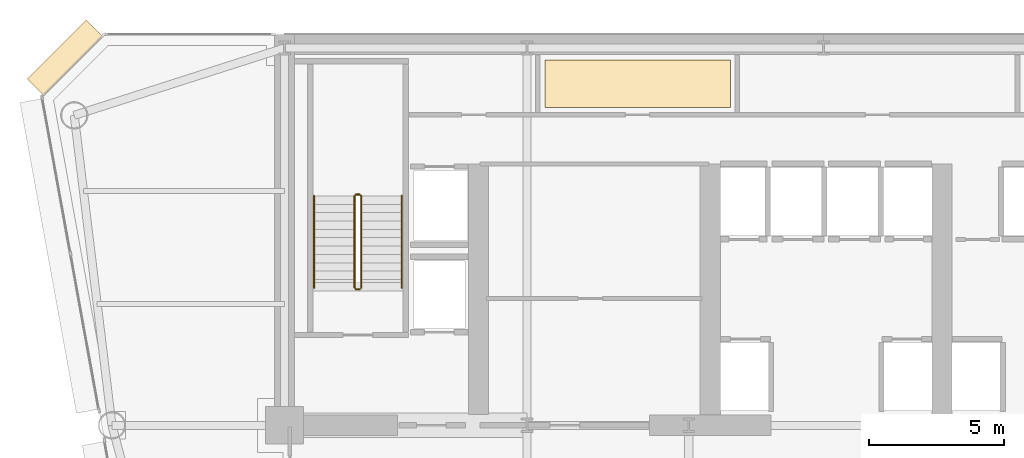
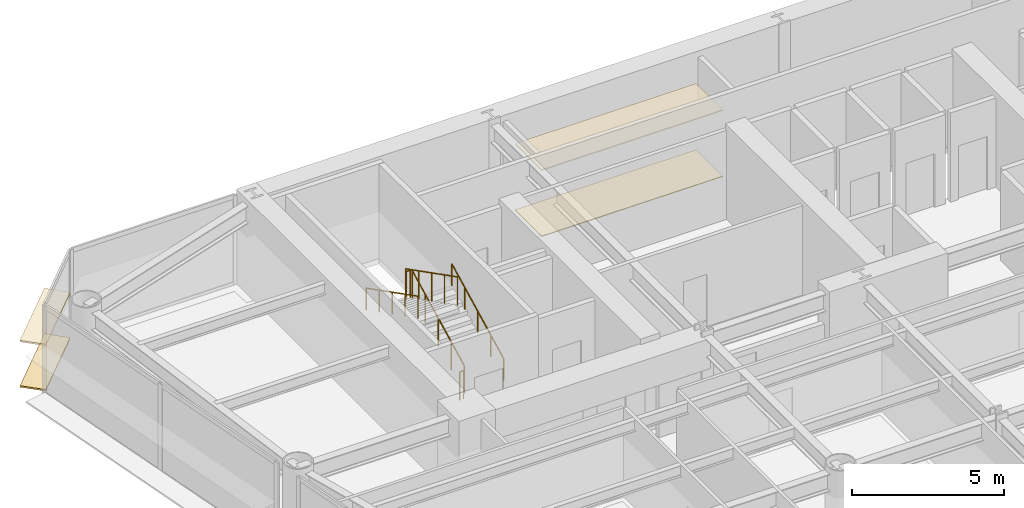
# One storey, part 12 of 14: 6 railings, 4 coverings.
"""IFC4 building model written with IfcOpenShell, lengths in metres."""

from ifc_helpers import new_model, si_unit, direction, frame, origin, origin_2d, place, context, subcontext, project, spatial, polyline, rectangle, circle, outline, extrude, source, transform, mapped, material, layer, layer_set, type_object, element, save


model = new_model("IFC4")

# Units and contexts
model_context = context("Model", 3, precision=1e-05, world=origin(), true_north=direction((0.0, 1.0)))
body_context = subcontext(model_context, "Body", "Model", "MODEL_VIEW")
ifc_project = project(units=[si_unit("LENGTHUNIT", "METRE"), si_unit("AREAUNIT", "SQUARE_METRE"), si_unit("VOLUMEUNIT", "CUBIC_METRE"), si_unit("PLANEANGLEUNIT", "RADIAN"), si_unit("MASSUNIT", "GRAM", prefix="KILO")], contexts=[model_context])

# Site, building, storey
site_placement = place(None, origin())
site = spatial("IfcSite", under=ifc_project, at=site_placement, CompositionType="ELEMENT")
building_placement = place(site_placement, origin())
building = spatial("IfcBuilding", under=site, at=building_placement, Name="Vaeldorn Concourse Tower", CompositionType="ELEMENT")
storey_placement = place(building_placement, frame((0.0, 0.0, 130.0)))
storey = spatial("IfcBuildingStorey", under=building, at=storey_placement, Name="L33", CompositionType="ELEMENT", Elevation=130.0)

# Coverings
ifc_material_1 = material(Name="Acoustic Mineral Fibre Board", Category="gypsum")
ifc_layer_1 = layer(ifc_material_1, 0.0400390625)
ifc_layer_set_1 = layer_set([ifc_layer_1], Name="Acoustic Mineral Fibre Board")
covering_type_1 = type_object("IfcCoveringType", Name="COV-CEIL-ACOUSTIC", PredefinedType="CEILING", material=ifc_layer_set_1)
covering_1_placement = place(storey_placement, frame((0.0, 0.0, 2.64990234375)))
element("IfcCovering", 1, at=covering_1_placement, inside=storey, type_object=covering_type_1, Name="Suspended Acoustic Ceiling L33-2", PredefinedType="CEILING", context=body_context, shape_type="SweptSolid", body=[
    extrude(outline(polyline([(30.5400390625, 50.050048828125), (30.5400390625, 48.300048828125), (23.659912109375, 48.300048828125), (23.659912109375, 50.050048828125), (30.5400390625, 50.050048828125)])), origin(), (0.0, 0.0, 1.0), 0.0400390625),
])
ifc_material_2 = material(Name="Honed Limestone Terrazzo Flooring", Category="masonry")
ifc_layer_2 = layer(ifc_material_2, 0.0400390625)
ifc_layer_set_2 = layer_set([ifc_layer_2], Name="Honed Limestone Terrazzo Flooring")
covering_type_2 = type_object("IfcCoveringType", Name="COV-FLOOR-STONE", PredefinedType="FLOORING", material=ifc_layer_set_2)
covering_2_placement = place(storey_placement, origin())
element("IfcCovering", 2, at=covering_2_placement, inside=storey, type_object=covering_type_2, Name="Floor Finish Covering L33-2", PredefinedType="FLOORING", context=body_context, shape_type="SweptSolid", body=[
    extrude(outline(polyline([(30.5400390625, 50.050048828125), (30.5400390625, 48.300048828125), (23.659912109375, 48.300048828125), (23.659912109375, 50.050048828125), (30.5400390625, 50.050048828125)])), origin(), (0.0, 0.0, 1.0), 0.030029296875),
])

# Railings
ifc_material_3 = material(Name="Anodised Bronze Aluminium", Category="aluminium")
railing_type_1 = type_object("IfcRailingType", Name="RL-STAIR-GUARD", PredefinedType="GUARDRAIL", material=ifc_material_3)
railing_1_placement = place(storey_placement, frame((16.85009765625, 41.60009765625, 0.158447265625)))
element("IfcRailing", 3, at=railing_1_placement, inside=storey, type_object=railing_type_1, Name="L33 ST-1 stair guard 1", PredefinedType="GUARDRAIL", context=body_context, shape_type="SweptSolid", body=[
    extrude(circle(Radius=0.02392578125, at=origin_2d()), frame((0.0, 0.0, 1.1259765625), z_axis=(0.0, 0.890581635807, 0.454823427236), x_axis=(-1.0, 0.0, 0.0)), (0.0, 0.0, 1.0), 3.828857421875),
    extrude(circle(Radius=0.02099609375, at=origin_2d()), origin(), (0.0, 0.0, 1.0), 1.101806640625),
    extrude(circle(Radius=0.02099609375, at=origin_2d()), frame((0.0, 0.8525390625, 0.435302734375)), (0.0, 0.0, 1.0), 1.101806640625),
    extrude(circle(Radius=0.02099609375, at=origin_2d()), frame((0.0, 1.705078125, 0.87060546875)), (0.0, 0.0, 1.0), 1.101806640625),
    extrude(circle(Radius=0.02099609375, at=origin_2d()), frame((0.0, 2.557373046875, 1.30615234375)), (0.0, 0.0, 1.0), 1.101806640625),
    extrude(circle(Radius=0.02099609375, at=origin_2d()), frame((0.0, 3.409912109375, 1.741455078125)), (0.0, 0.0, 1.0), 1.101806640625),
])
railing_2_placement = place(storey_placement, frame((16.800048828125, 45.06005859375, 1.89990234375)))
element("IfcRailing", 4, at=railing_2_placement, inside=storey, type_object=railing_type_1, Name="L33 ST-1 stair guard 2", PredefinedType="GUARDRAIL", context=body_context, shape_type="SweptSolid", body=[
    extrude(circle(Radius=0.02392578125, at=origin_2d()), frame((0.0, 0.0, 1.1259765625), z_axis=(-1.0, 0.0, 0.0), x_axis=(0.0, -1.0, 0.0)), (0.0, 0.0, 1.0), 0.150146484375),
    extrude(circle(Radius=0.02099609375, at=origin_2d()), origin(), (0.0, 0.0, 1.0), 1.101806640625),
    extrude(circle(Radius=0.02099609375, at=origin_2d()), frame((-0.150146484375, 0.0, 0.0)), (0.0, 0.0, 1.0), 1.101806640625),
])
railing_3_placement = place(storey_placement, frame((16.60009765625, 45.010009765625, 2.058349609375)))
element("IfcRailing", 5, at=railing_3_placement, inside=storey, type_object=railing_type_1, Name="L33 ST-1 stair guard 3", PredefinedType="GUARDRAIL", context=body_context, shape_type="SweptSolid", body=[
    extrude(circle(Radius=0.02392578125, at=origin_2d()), frame((0.0, 0.0, 1.1259765625), z_axis=(0.0, -0.890555807335, 0.454873997962), x_axis=(1.0, 0.0, 0.0)), (0.0, 0.0, 1.0), 3.828857421875),
    extrude(circle(Radius=0.02099609375, at=origin_2d()), origin(), (0.0, 0.0, 1.0), 1.101806640625),
    extrude(circle(Radius=0.02099609375, at=origin_2d()), frame((0.0, -0.8525390625, 0.435546875)), (0.0, 0.0, 1.0), 1.101806640625),
    extrude(circle(Radius=0.02099609375, at=origin_2d()), frame((0.0, -1.705078125, 0.870849609375)), (0.0, 0.0, 1.0), 1.101806640625),
    extrude(circle(Radius=0.02099609375, at=origin_2d()), frame((0.0, -2.557373046875, 1.30615234375)), (0.0, 0.0, 1.0), 1.101806640625),
    extrude(circle(Radius=0.02099609375, at=origin_2d()), frame((0.0, -3.409912109375, 1.74169921875)), (0.0, 0.0, 1.0), 1.101806640625),
])
railing_4_placement = place(storey_placement, frame((16.800048828125, 41.550048828125, 0.0)))
element("IfcRailing", 6, at=railing_4_placement, inside=storey, type_object=railing_type_1, Name="L33 ST-1 stair guard 4", PredefinedType="GUARDRAIL", context=body_context, shape_type="SweptSolid", body=[
    extrude(circle(Radius=0.02392578125, at=origin_2d()), frame((0.0, 0.0, 1.1259765625), z_axis=(-1.0, 0.0, 0.0), x_axis=(0.0, -1.0, 0.0)), (0.0, 0.0, 1.0), 0.150146484375),
    extrude(circle(Radius=0.02099609375, at=origin_2d()), origin(), (0.0, 0.0, 1.0), 1.101806640625),
    extrude(circle(Radius=0.02099609375, at=origin_2d()), frame((-0.150146484375, 0.0, 0.0)), (0.0, 0.0, 1.0), 1.101806640625),
])
railing_type_2 = type_object("IfcRailingType", Name="RL-STAIR-HANDRAIL", PredefinedType="HANDRAIL", material=ifc_material_3)
railing_5_placement = place(storey_placement, frame((18.35009765625, 41.60009765625, 0.158447265625)))
element("IfcRailing", 7, at=railing_5_placement, inside=storey, type_object=railing_type_2, Name="L33 ST-1 stair handrail 1", PredefinedType="HANDRAIL", context=body_context, shape_type="SweptSolid", body=[
    extrude(circle(Radius=0.02392578125, at=origin_2d()), frame((0.0, 0.0, 0.8759765625), z_axis=(0.0, 0.890581635807, 0.454823427236), x_axis=(-1.0, 0.0, 0.0)), (0.0, 0.0, 1.0), 3.828857421875),
    extrude(circle(Radius=0.02099609375, at=origin_2d()), origin(), (0.0, 0.0, 1.0), 0.851806640625),
    extrude(circle(Radius=0.02099609375, at=origin_2d()), frame((0.0, 0.8525390625, 0.435302734375)), (0.0, 0.0, 1.0), 0.851806640625),
    extrude(circle(Radius=0.02099609375, at=origin_2d()), frame((0.0, 1.705078125, 0.87060546875)), (0.0, 0.0, 1.0), 0.851806640625),
    extrude(circle(Radius=0.02099609375, at=origin_2d()), frame((0.0, 2.557373046875, 1.30615234375)), (0.0, 0.0, 1.0), 0.851806640625),
    extrude(circle(Radius=0.02099609375, at=origin_2d()), frame((0.0, 3.409912109375, 1.741455078125)), (0.0, 0.0, 1.0), 0.851806640625),
])
railing_6_placement = place(storey_placement, frame((15.10009765625, 45.010009765625, 2.058349609375)))
element("IfcRailing", 8, at=railing_6_placement, inside=storey, type_object=railing_type_2, Name="L33 ST-1 stair handrail 2", PredefinedType="HANDRAIL", context=body_context, shape_type="SweptSolid", body=[
    extrude(circle(Radius=0.02392578125, at=origin_2d()), frame((0.0, 0.0, 0.8759765625), z_axis=(0.0, -0.890555807335, 0.454873997962), x_axis=(1.0, 0.0, 0.0)), (0.0, 0.0, 1.0), 3.828857421875),
    extrude(circle(Radius=0.02099609375, at=origin_2d()), origin(), (0.0, 0.0, 1.0), 0.851806640625),
    extrude(circle(Radius=0.02099609375, at=origin_2d()), frame((0.0, -0.8525390625, 0.435546875)), (0.0, 0.0, 1.0), 0.851806640625),
    extrude(circle(Radius=0.02099609375, at=origin_2d()), frame((0.0, -1.705078125, 0.870849609375)), (0.0, 0.0, 1.0), 0.851806640625),
    extrude(circle(Radius=0.02099609375, at=origin_2d()), frame((0.0, -2.557373046875, 1.30615234375)), (0.0, 0.0, 1.0), 0.851806640625),
    extrude(circle(Radius=0.02099609375, at=origin_2d()), frame((0.0, -3.409912109375, 1.74169921875)), (0.0, 0.0, 1.0), 0.851806640625),
])

# Coverings
ifc_layer_3 = layer(ifc_material_3, 0.06494140625)
ifc_layer_set_3 = layer_set([ifc_layer_3], Name="Anodised Bronze Aluminium")
covering_type_3 = type_object("IfcCoveringType", Name="SD-BRONZE-SUNSHADE", PredefinedType="USERDEFINED", material=ifc_layer_set_3)
shared_shape = source(origin(), body_context, "Body", "SweptSolid", [
    extrude(rectangle(XDim=3.0927734375, YDim=0.8798828125, at=origin_2d()), origin(), (0.0, 0.0, 1.0), 0.06494140625),
])
for number, where, z_axis, x_axis, name in (
    (9, (5.8671875, 50.1328125, 0.047607421875), (0.0, 0.0, 1.0), (-0.707106781187, -0.707106781187, 0.0), "Horizontal Bronze Sunshade L33-E10.1.1"),
    (10, (5.8671875, 50.1328125, 1.867431640625), (0.0, 0.0, 1.0), (-0.707106781187, -0.707106781187, 0.0), "Horizontal Bronze Sunshade L33-E10.1.2"),
):
    element("IfcCovering", number, at=place(storey_placement, frame(where, z_axis=z_axis, x_axis=x_axis)), inside=storey, type_object=covering_type_3, Name=name, ObjectType="SUNSHADE", PredefinedType="USERDEFINED", context=body_context, shape_type="MappedRepresentation", body=[
        mapped(shared_shape, transform((0.0, 0.0, 0.0), scale=1.0)),
    ])

save(model, "model.ifc")
